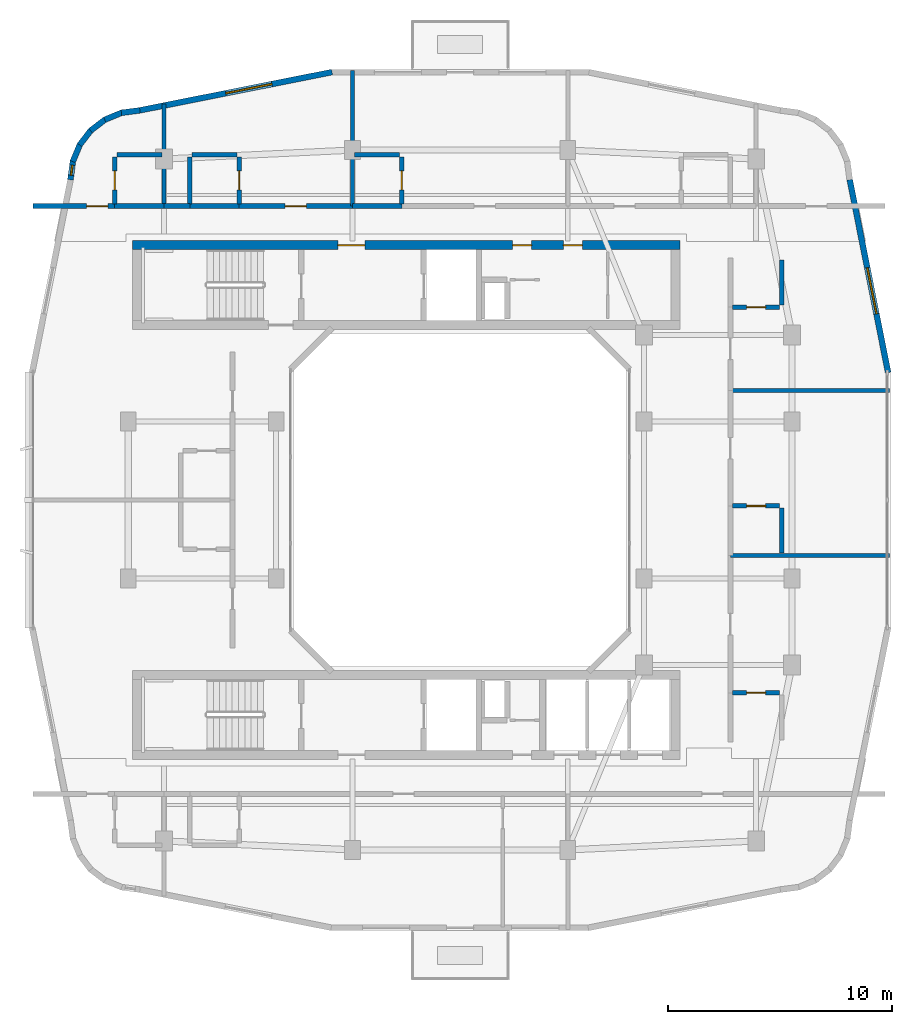
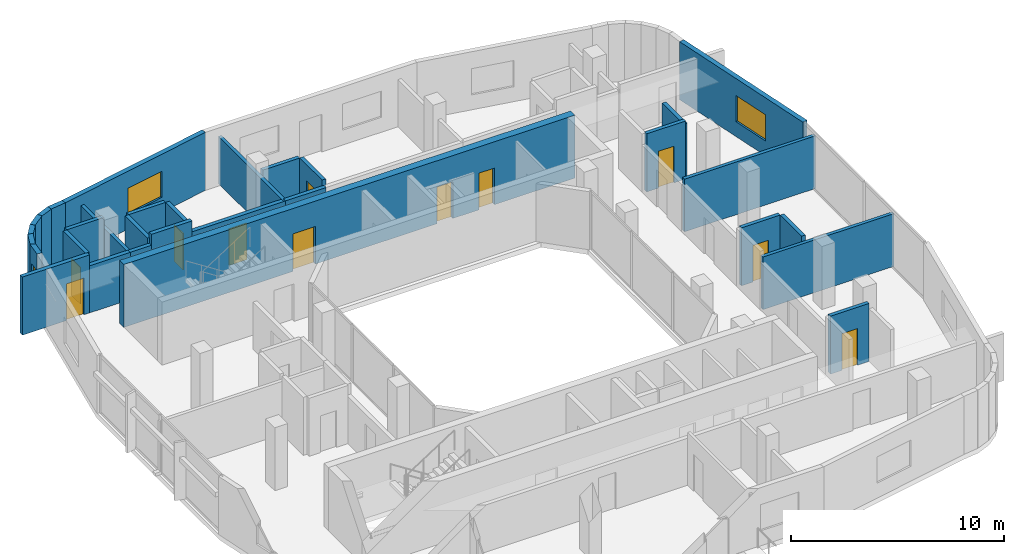
# One storey, part 8 of 13: 31 walls, 11 doors, 3 windows, 14 openings.
"""IFC4 building model written with IfcOpenShell, lengths in metres."""

import ifcopenshell
import ifcopenshell.guid

model = None  # the IFC model being written
_history = None  # IfcOwnerHistory: only IFC2X3 demands one
_inside = {}  # id of a spatial element -> (the spatial element, [elements in it])
_under = {}  # id of a project, library or spatial element -> (it, [spatial elements below it])
_declared = {}  # id of a project -> (the project, [libraries it declares])
_typed = {}  # id of a type object -> (the type object, [elements of that type])
_made_of = {}  # id of a material, layer set ... -> (it, [elements and type objects made of it])


def new_model(schema):
    """Start an empty IFC model of exactly this schema.

    Asked for "IFC4X3", IfcOpenShell would pick the latest addendum, in which some entities
    have other attributes; the version numbers below select the first issue.
    IFC2X3 requires an IfcOwnerHistory on every rooted entity: one is made here for all.
    """
    global model, _history
    if schema == "IFC4X3":
        model = ifcopenshell.file(schema_version=(4, 3, 0, 0))
    else:
        model = ifcopenshell.file(schema=schema)
    _inside.clear()
    _under.clear()
    _declared.clear()
    _typed.clear()
    _made_of.clear()
    _history = None
    if model.schema == "IFC2X3":
        org = make("IfcOrganization", Name="unknown")
        user = make(
            "IfcPersonAndOrganization",
            ThePerson=make("IfcPerson", FamilyName="unknown"),
            TheOrganization=org,
        )
        app = make(
            "IfcApplication",
            ApplicationDeveloper=org,
            Version="unknown",
            ApplicationFullName="unknown",
            ApplicationIdentifier="unknown",
        )
        _history = make(
            "IfcOwnerHistory",
            OwningUser=user,
            OwningApplication=app,
            ChangeAction="ADDED",
            CreationDate=0,
        )
    return model


def make(cls, **values):
    """One entity of the class cls with the attributes given. An attribute that is None is left unset."""
    return model.create_entity(
        cls, **{name: value for name, value in values.items() if value is not None}
    )


def rooted(cls, **values):
    """An entity with a GlobalId (a new one), such as an element, a storey or a relation."""
    return make(cls, GlobalId=ifcopenshell.guid.new(), OwnerHistory=_history, **values)


def si_unit(unit_type, name, prefix=None):
    """IfcSIUnit, for example si_unit("LENGTHUNIT", "METRE", prefix="MILLI")."""
    return make("IfcSIUnit", UnitType=unit_type, Prefix=prefix, Name=name)


def derived_unit(unit_type, elements):
    """IfcDerivedUnit: a product of units, each with its exponent."""
    return make(
        "IfcDerivedUnit",
        Elements=[
            make("IfcDerivedUnitElement", Unit=unit, Exponent=power)
            for unit, power in elements
        ],
        UnitType=unit_type,
    )


def assignment(units):
    """IfcUnitAssignment: the units of a project."""
    return None if units is None else make("IfcUnitAssignment", Units=units)


def point(xyz):
    """IfcCartesianPoint."""
    return None if xyz is None else make("IfcCartesianPoint", Coordinates=xyz)


def direction(xyz):
    """IfcDirection."""
    return None if xyz is None else make("IfcDirection", DirectionRatios=xyz)


def frame(location, z_axis=None, x_axis=None):
    """IfcAxis2Placement3D, a coordinate frame: its origin and axes. An axis left out is left unset."""
    return make(
        "IfcAxis2Placement3D",
        Location=point(location),
        Axis=direction(z_axis),
        RefDirection=direction(x_axis),
    )


def frame_2d(location, x_axis=None):
    """IfcAxis2Placement2D, a coordinate frame in the plane: its origin and x axis."""
    return make(
        "IfcAxis2Placement2D", Location=point(location), RefDirection=direction(x_axis)
    )


def origin():
    """The frame at (0, 0, 0) with its axes left unset."""
    return frame((0.0, 0.0, 0.0))


def place(relative_to, where):
    """IfcLocalPlacement: puts the frame where relative to a parent placement (None: the world)."""
    return make(
        "IfcLocalPlacement", PlacementRelTo=relative_to, RelativePlacement=where
    )


def context(
    kind, dimensions, precision=None, world=None, true_north=None, identifier=None
):
    """IfcGeometricRepresentationContext, for example the 3D "Model" context."""
    return make(
        "IfcGeometricRepresentationContext",
        ContextIdentifier=identifier,
        ContextType=kind,
        CoordinateSpaceDimension=dimensions,
        Precision=precision,
        WorldCoordinateSystem=world,
        TrueNorth=true_north,
    )


def subcontext(parent, identifier, kind, view, scale=None):
    """IfcGeometricRepresentationSubContext, for example "Body" below "Model"."""
    return make(
        "IfcGeometricRepresentationSubContext",
        ContextIdentifier=identifier,
        ContextType=kind,
        ParentContext=parent,
        TargetScale=scale,
        TargetView=view,
    )


def project(units=None, contexts=None):
    """IfcProject with its units and contexts."""
    return rooted(
        "IfcProject",
        Name="project",
        RepresentationContexts=contexts,
        UnitsInContext=assignment(units),
    )


def spatial(cls, under=None, at=None, **own):
    """A site, building, storey or space (cls), placed at a placement, below another one or the project."""
    s = rooted(cls, ObjectPlacement=at, **own)
    if under is not None:
        _under.setdefault(under.id(), (under, []))[1].append(s)
    return s


def profile(cls, at=None, kind="AREA", **sizes):
    """A parametric profile (cls). Its sizes go by their IFC names, for example OverallWidth=200.0."""
    return make(cls, ProfileType=kind, Position=at, **sizes)


def rectangle(**sizes):
    """IfcRectangleProfileDef."""
    return profile("IfcRectangleProfileDef", **sizes)


def extrude(swept, where, along, depth):
    """IfcExtrudedAreaSolid: the profile swept, set in the frame where, extruded along a direction by depth."""
    return make(
        "IfcExtrudedAreaSolid",
        SweptArea=swept,
        Position=where,
        ExtrudedDirection=direction(along),
        Depth=depth,
    )


def shape(context_of_items, identifier, shape_type, items):
    """IfcShapeRepresentation: the items that make up one representation, for example the "Body"."""
    return make(
        "IfcShapeRepresentation",
        ContextOfItems=context_of_items,
        RepresentationIdentifier=identifier,
        RepresentationType=shape_type,
        Items=items,
    )


def material(Name=None, Category=None):
    """IfcMaterial."""
    return make("IfcMaterial", Name=Name, Category=Category)


def layer(
    of_material, thickness, ventilated=None, Name=None, Category=None, Priority=None
):
    """IfcMaterialLayer: one layer of a wall or slab, of a material (None: an air gap)."""
    return make(
        "IfcMaterialLayer",
        Material=of_material,
        LayerThickness=thickness,
        IsVentilated=ventilated,
        Name=Name,
        Category=Category,
        Priority=Priority,
    )


def layer_set(layers, Name=None):
    """IfcMaterialLayerSet."""
    return make("IfcMaterialLayerSet", MaterialLayers=layers, LayerSetName=Name)


def made_of(thing, what):
    """Note that an element or type object is made of a material, layer set ...; save() writes the relation."""
    if what is not None:
        _made_of.setdefault(what.id(), (what, []))[1].append(thing)
    return thing


def type_object(cls, material=None, **own):
    """A type object (cls), such as IfcWallType, which elements share."""
    return made_of(rooted(cls, **own), material)


def element(
    cls,
    number,
    at=None,
    inside=None,
    cuts=None,
    type_object=None,
    material=None,
    context=None,
    identifier="Body",
    shape_type=None,
    held_by="IfcProductDefinitionShape",
    body=None,
    shapes=None,
    **own,
):
    """One element of the class cls, such as IfcWall. Its Tag is "e" and its number.

    at: its placement. inside: the storey or other place that contains it. cuts: it is an
    opening in that element (IfcRelVoidsElement). A single representation is given by context,
    identifier, shape_type and body (its items); several are given by shapes. held_by: the class
    of the entity that holds the representations. save() writes the other relations.
    """
    e = rooted(cls, Tag="e%d" % number, ObjectPlacement=at, **own)
    if body is not None:
        shapes = [shape(context, identifier, shape_type, body)]
    if shapes is not None:
        e.Representation = make(held_by, Representations=shapes)
    if inside is not None:
        _inside.setdefault(inside.id(), (inside, []))[1].append(e)
    if cuts is not None:
        rooted(
            "IfcRelVoidsElement", RelatingBuildingElement=cuts, RelatedOpeningElement=e
        )
    if type_object is not None:
        _typed.setdefault(type_object.id(), (type_object, []))[1].append(e)
    return made_of(e, material)


def fill(opening, filler):
    """IfcRelFillsElement: the door or window that sits in an opening."""
    return rooted(
        "IfcRelFillsElement",
        RelatingOpeningElement=opening,
        RelatedBuildingElement=filler,
    )


def aggregate(whole, parts):
    """IfcRelAggregates: a whole, such as a stair, and the parts it consists of."""
    return rooted("IfcRelAggregates", RelatingObject=whole, RelatedObjects=parts)


def save(model, path):
    """Write the relations noted so far, then the file.

    IfcRelAggregates (storeys below a building ...), IfcRelContainedInSpatialStructure (elements
    in a storey), IfcRelDefinesByType, IfcRelAssociatesMaterial and IfcRelDeclares: one each for
    every whole, place, type object, material and project.
    """
    for whole, parts in _under.values():
        aggregate(whole, parts)
    for where, things in _inside.values():
        rooted(
            "IfcRelContainedInSpatialStructure",
            RelatedElements=things,
            RelatingStructure=where,
        )
    for kind, things in _typed.values():
        rooted("IfcRelDefinesByType", RelatedObjects=things, RelatingType=kind)
    for what, things in _made_of.values():
        rooted("IfcRelAssociatesMaterial", RelatedObjects=things, RelatingMaterial=what)
    for by, libraries in _declared.values():
        rooted("IfcRelDeclares", RelatingContext=by, RelatedDefinitions=libraries)
    model.write(path)


model = new_model("IFC4")

# Units and contexts
model_context = context("Model", 3, precision=1e-05, world=origin(), true_north=direction((0.0, 1.0)))
body_context = subcontext(model_context, "Body", "Model", "MODEL_VIEW")
ifc_project = project(units=[si_unit("LENGTHUNIT", "METRE"), si_unit("AREAUNIT", "SQUARE_METRE"), si_unit("VOLUMEUNIT", "CUBIC_METRE"), si_unit("PLANEANGLEUNIT", "RADIAN"), si_unit("MASSUNIT", "GRAM", prefix="KILO"), derived_unit("THERMALTRANSMITTANCEUNIT", [(si_unit("POWERUNIT", "WATT"), 1), (si_unit("LENGTHUNIT", "METRE"), -2), (si_unit("THERMODYNAMICTEMPERATUREUNIT", "KELVIN"), -1)])], contexts=[model_context])

# Site, building, storey
site_placement = place(None, origin())
site = spatial("IfcSite", under=ifc_project, at=site_placement, CompositionType="ELEMENT")
building_placement = place(site_placement, origin())
building = spatial("IfcBuilding", under=site, at=building_placement, Name="Kivonza Crest Hotel", CompositionType="ELEMENT")
storey_placement = place(building_placement, frame((0.0, 0.0, 220.699951171875)))
storey = spatial("IfcBuildingStorey", under=building, at=storey_placement, Name="L60", CompositionType="ELEMENT", Elevation=220.699951171875)

# Walls
ifc_material_1 = material(Name="High-density acoustic masonry inter-tenancy wall", Category="masonry")
ifc_layer_1 = layer(ifc_material_1, 0.179931640625)
ifc_layer_set_1 = layer_set([ifc_layer_1], Name="High-density acoustic masonry inter-tenancy wall")
wall_type_1 = type_object("IfcWallType", Name="WL-ACOU-180", PredefinedType="SOLIDWALL", material=ifc_layer_set_1)
wall_1_placement = place(storey_placement, frame((7.800048828125, 38.10009765625, 0.0), z_axis=(0.0, 0.0, 1.0), x_axis=(0.0, 1.0, 0.0)))
element("IfcWall", 1, at=wall_1_placement, inside=storey, type_object=wall_type_1, Name="L60 interior partition WA-L60-T1N-DIV1", PredefinedType="SOLIDWALL", context=body_context, shape_type="SweptSolid", body=[
    extrude(rectangle(XDim=4.557861328125, YDim=0.179931640625, at=frame_2d((2.27880859375, 0.0))), origin(), (0.0, 0.0, 1.0), 2.695068359375),
])
wall_2_placement = place(storey_placement, frame((16.199951171875, 38.10009765625, 0.0), z_axis=(0.0, 0.0, 1.0), x_axis=(0.0, 1.0, 0.0)))
element("IfcWall", 2, at=wall_2_placement, inside=storey, type_object=wall_type_1, Name="L60 interior partition WA-L60-T1N-DIV2", PredefinedType="SOLIDWALL", context=body_context, shape_type="SweptSolid", body=[
    extrude(rectangle(XDim=6.039794921875, YDim=0.179931640625, at=frame_2d((3.02001953125, 0.0))), origin(), (0.0, 0.0, 1.0), 2.695068359375),
])
for number, where, z_axis, x_axis, name in (
    (3, (33.050048828125, 22.533935546875, 0.0), (0.0, 0.0, 1.0), (1.0, 0.0, 0.0), "L60 interior partition WA-L60-T1E-DIV1"),
    (4, (33.050048828125, 29.8779296875, 0.0), (0.0, 0.0, 1.0), (1.0, 0.0, 0.0), "L60 interior partition WA-L60-T1E-DIV2"),
):
    element("IfcWall", number, at=place(storey_placement, frame(where, z_axis=z_axis, x_axis=x_axis)), inside=storey, type_object=wall_type_1, Name=name, PredefinedType="SOLIDWALL", context=body_context, shape_type="SweptSolid", body=[
        extrude(rectangle(XDim=7.08984375, YDim=0.179931640625, at=frame_2d((3.544921875, 0.0))), origin(), (0.0, 0.0, 1.0), 3.01513671875),
    ])
ifc_material_2 = material(Name="Autoclaved aerated concrete blockwork", Category="masonry")
ifc_layer_2 = layer(ifc_material_2, 0.219970703125)
ifc_layer_set_2 = layer_set([ifc_layer_2], Name="Autoclaved aerated concrete blockwork")
wall_type_2 = type_object("IfcWallType", Name="WL-ACOU-220", PredefinedType="SOLIDWALL", material=ifc_layer_set_2)
wall_3_placement = place(storey_placement, frame((5.60009765625, 38.10009765625, 0.0), z_axis=(0.0, 0.0, 1.0), x_axis=(1.0, 0.0, 0.0)))
element("IfcWall", 5, at=wall_3_placement, inside=storey, type_object=wall_type_2, Name="L60 interior partition WA-L60-N01-BCORR", PredefinedType="SOLIDWALL", context=body_context, shape_type="SweptSolid", body=[
    extrude(rectangle(XDim=2.199951171875, YDim=0.219970703125, at=frame_2d((1.10009765625, 0.0))), origin(), (0.0, 0.0, 1.0), 2.695068359375),
])

# Wall, opening, door
wall_4_placement = place(storey_placement, frame((1.9599609375, 38.10009765625, 0.0), z_axis=(0.0, 0.0, 1.0), x_axis=(1.0, 0.0, 0.0)))
wall_4 = element("IfcWall", 6, at=wall_4_placement, inside=storey, type_object=wall_type_2, Name="L60 interior partition WA-L60-N01-MCORR", PredefinedType="SOLIDWALL", context=body_context, shape_type="SweptSolid", body=[
    extrude(rectangle(XDim=3.64013671875, YDim=0.219970703125, at=frame_2d((1.820068359375, 0.0))), origin(), (0.0, 0.0, 1.0), 3.320068359375),
])
opening_1_placement = place(wall_4_placement, frame((2.389892578125, 0.0, 0.0)))
opening_1 = element("IfcOpeningElement", 7, at=opening_1_placement, cuts=wall_4, Name="Opening DU-60", PredefinedType="OPENING", context=body_context, shape_type="SweptSolid", body=[
    extrude(rectangle(XDim=0.949951171875, YDim=2.10009765625, at=frame_2d((0.47509765625, 1.050048828125))), frame((0.0, 0.1201171875, 0.0), z_axis=(0.0, -1.0, 0.0), x_axis=(1.0, 0.0, 0.0)), (0.0, 0.0, 1.0), 0.239990234375),
])
ifc_material_3 = material(Name="Hardwood timber oak", Category="wood")
door_type_1 = type_object("IfcDoorType", Name="DR-UNIT-950", OperationType="NOTDEFINED", PredefinedType="DOOR", material=ifc_material_3)
door_1_placement = place(opening_1_placement, origin())
door_1 = element("IfcDoor", 8, at=door_1_placement, inside=storey, type_object=door_type_1, Name="L60 N01 guest unit entrance fire door", OperationType="SINGLE_SWING_LEFT", OverallHeight=2.10009765625, OverallWidth=0.949951171875, PredefinedType="DOOR", context=body_context, shape_type="SweptSolid", body=[
    extrude(rectangle(XDim=0.949951171875, YDim=2.10009765625, at=frame_2d((0.47509765625, 1.050048828125))), frame((0.0, 0.02490234375, 0.0), z_axis=(0.0, -1.0, 0.0), x_axis=(1.0, 0.0, 0.0)), (0.0, 0.0, 1.0), 0.050048828125),
])
fill(opening_1, door_1)

# Walls
wall_5_placement = place(storey_placement, frame((7.800048828125, 38.10009765625, 0.0), z_axis=(0.0, 0.0, 1.0), x_axis=(1.0, 0.0, 0.0)))
element("IfcWall", 9, at=wall_5_placement, inside=storey, type_object=wall_type_2, Name="L60 interior partition WA-L60-N02-XCORR", PredefinedType="SOLIDWALL", context=body_context, shape_type="SweptSolid", body=[
    extrude(rectangle(XDim=1.14990234375, YDim=0.219970703125, at=frame_2d((0.574951171875, 0.0))), origin(), (0.0, 0.0, 1.0), 2.695068359375),
])
wall_6_placement = place(storey_placement, frame((8.949951171875, 38.10009765625, 0.0), z_axis=(0.0, 0.0, 1.0), x_axis=(1.0, 0.0, 0.0)))
element("IfcWall", 10, at=wall_6_placement, inside=storey, type_object=wall_type_2, Name="L60 interior partition WA-L60-N02-BCORR", PredefinedType="SOLIDWALL", context=body_context, shape_type="SweptSolid", body=[
    extrude(rectangle(XDim=2.199951171875, YDim=0.219970703125, at=frame_2d((1.10009765625, 0.0))), origin(), (0.0, 0.0, 1.0), 3.320068359375),
])

# Wall, opening, door
wall_7_placement = place(storey_placement, frame((11.14990234375, 38.10009765625, 0.0), z_axis=(0.0, 0.0, 1.0), x_axis=(1.0, 0.0, 0.0)))
wall_7 = element("IfcWall", 11, at=wall_7_placement, inside=storey, type_object=wall_type_2, Name="L60 interior partition WA-L60-N02-MCORR", PredefinedType="SOLIDWALL", context=body_context, shape_type="SweptSolid", body=[
    extrude(rectangle(XDim=5.050048828125, YDim=0.219970703125, at=frame_2d((2.52490234375, 0.0))), origin(), (0.0, 0.0, 1.0), 2.695068359375),
])
opening_2_placement = place(wall_7_placement, frame((2.050048828125, 0.0, 0.0)))
opening_2 = element("IfcOpeningElement", 12, at=opening_2_placement, cuts=wall_7, Name="Opening DU-60", PredefinedType="OPENING", context=body_context, shape_type="SweptSolid", body=[
    extrude(rectangle(XDim=0.949951171875, YDim=2.10009765625, at=frame_2d((0.47509765625, 1.050048828125))), frame((0.0, 0.1201171875, 0.0), z_axis=(0.0, -1.0, 0.0), x_axis=(1.0, 0.0, 0.0)), (0.0, 0.0, 1.0), 0.239990234375),
])
door_2_placement = place(opening_2_placement, origin())
door_2 = element("IfcDoor", 13, at=door_2_placement, inside=storey, type_object=door_type_1, Name="L60 N02 guest unit entrance fire door", OperationType="SINGLE_SWING_RIGHT", OverallHeight=2.10009765625, OverallWidth=0.949951171875, PredefinedType="DOOR", context=body_context, shape_type="SweptSolid", body=[
    extrude(rectangle(XDim=0.949951171875, YDim=2.10009765625, at=frame_2d((0.47509765625, 1.050048828125))), frame((0.0, 0.02490234375, 0.0), z_axis=(0.0, -1.0, 0.0), x_axis=(1.0, 0.0, 0.0)), (0.0, 0.0, 1.0), 0.050048828125),
])
fill(opening_2, door_2)

# Wall
wall_8_placement = place(storey_placement, frame((16.199951171875, 38.10009765625, 0.0), z_axis=(0.0, 0.0, 1.0), x_axis=(1.0, 0.0, 0.0)))
element("IfcWall", 14, at=wall_8_placement, inside=storey, type_object=wall_type_2, Name="L60 interior partition WA-L60-N03-BCORR", PredefinedType="SOLIDWALL", context=body_context, shape_type="SweptSolid", body=[
    extrude(rectangle(XDim=2.199951171875, YDim=0.219970703125, at=frame_2d((1.10009765625, 0.0))), origin(), (0.0, 0.0, 1.0), 2.695068359375),
])

# Wall, openings, doors
ifc_material_4 = material(Name="Concrete C50/60", Category="concrete")
ifc_layer_3 = layer(ifc_material_4, 0.39990234375)
ifc_layer_set_3 = layer_set([ifc_layer_3], Name="Concrete C50/60")
wall_type_3 = type_object("IfcWallType", Name="WL-CORE-400", PredefinedType="SHEAR", material=ifc_layer_set_3)
wall_9_placement = place(storey_placement, frame((6.39990234375, 36.360107421875, 0.0), z_axis=(0.0, 0.0, 1.0), x_axis=(1.0, 0.0, 0.0)))
wall_9 = element("IfcWall", 15, at=wall_9_placement, inside=storey, type_object=wall_type_3, Name="Core wall T1-N North L60", PredefinedType="SHEAR", context=body_context, shape_type="SweptSolid", body=[
    extrude(rectangle(XDim=24.400146484375, YDim=0.39990234375, at=frame_2d((12.2001953125, 0.0))), origin(), (0.0, 0.0, 1.0), 3.60009765625),
])
opening_3_placement = place(wall_9_placement, frame((9.14990234375, 0.0, 0.0)))
opening_3 = element("IfcOpeningElement", 16, at=opening_3_placement, cuts=wall_9, Name="Opening DF-60", PredefinedType="OPENING", context=body_context, shape_type="SweptSolid", body=[
    extrude(rectangle(XDim=1.199951171875, YDim=2.14990234375, at=frame_2d((0.60009765625, 1.074951171875))), frame((0.0, 0.2099609375, 0.0), z_axis=(0.0, -1.0, 0.0), x_axis=(1.0, 0.0, 0.0)), (0.0, 0.0, 1.0), 0.419921875),
])
opening_4_placement = place(wall_9_placement, frame((19.199951171875, 0.0, 0.0)))
opening_4 = element("IfcOpeningElement", 17, at=opening_4_placement, cuts=wall_9, Name="Opening DF-60R", PredefinedType="OPENING", context=body_context, shape_type="SweptSolid", body=[
    extrude(rectangle(XDim=0.85009765625, YDim=2.10009765625, at=frame_2d((0.425048828125, 1.050048828125))), frame((0.0, 0.2099609375, 0.0), z_axis=(0.0, -1.0, 0.0), x_axis=(1.0, 0.0, 0.0)), (0.0, 0.0, 1.0), 0.419921875),
])
opening_5_placement = place(wall_9_placement, frame((16.93994140625, 0.0, 0.0)))
opening_5 = element("IfcOpeningElement", 18, at=opening_5_placement, cuts=wall_9, Name="Opening DF-60R", PredefinedType="OPENING", context=body_context, shape_type="SweptSolid", body=[
    extrude(rectangle(XDim=0.85009765625, YDim=2.10009765625, at=frame_2d((0.425048828125, 1.050048828125))), frame((0.0, 0.2099609375, 0.0), z_axis=(0.0, -1.0, 0.0), x_axis=(1.0, 0.0, 0.0)), (0.0, 0.0, 1.0), 0.419921875),
])
door_type_2 = type_object("IfcDoorType", Name="DR-FD60-1200", OperationType="NOTDEFINED", PredefinedType="DOOR", material=ifc_material_3)
door_3_placement = place(opening_3_placement, origin())
door_3 = element("IfcDoor", 19, at=door_3_placement, inside=storey, type_object=door_type_2, Name="L60 T1-N firefighting lobby fire door", OperationType="SINGLE_SWING_RIGHT", OverallHeight=2.14990234375, OverallWidth=1.199951171875, PredefinedType="DOOR", context=body_context, shape_type="SweptSolid", body=[
    extrude(rectangle(XDim=1.199951171875, YDim=2.14990234375, at=frame_2d((0.60009765625, 1.074951171875))), frame((0.0, 0.02490234375, 0.0), z_axis=(0.0, -1.0, 0.0), x_axis=(1.0, 0.0, 0.0)), (0.0, 0.0, 1.0), 0.050048828125),
])
fill(opening_3, door_3)
door_type_3 = type_object("IfcDoorType", Name="DR-FD60-850", OperationType="NOTDEFINED", PredefinedType="DOOR", material=ifc_material_3)
door_4_placement = place(opening_4_placement, origin())
door_4 = element("IfcDoor", 20, at=door_4_placement, inside=storey, type_object=door_type_3, Name="L60 T1-N reclaimed core service door", OperationType="SINGLE_SWING_LEFT", OverallHeight=2.10009765625, OverallWidth=0.85009765625, PredefinedType="DOOR", context=body_context, shape_type="SweptSolid", body=[
    extrude(rectangle(XDim=0.85009765625, YDim=2.10009765625, at=frame_2d((0.425048828125, 1.050048828125))), frame((0.0, 0.02490234375, 0.0), z_axis=(0.0, -1.0, 0.0), x_axis=(1.0, 0.0, 0.0)), (0.0, 0.0, 1.0), 0.050048828125),
])
fill(opening_4, door_4)
door_5_placement = place(opening_5_placement, origin())
door_5 = element("IfcDoor", 21, at=door_5_placement, inside=storey, type_object=door_type_3, Name="L60 T1-N core room door", OperationType="SINGLE_SWING_RIGHT", OverallHeight=2.10009765625, OverallWidth=0.85009765625, PredefinedType="DOOR", context=body_context, shape_type="SweptSolid", body=[
    extrude(rectangle(XDim=0.85009765625, YDim=2.10009765625, at=frame_2d((0.425048828125, 1.050048828125))), frame((0.0, 0.02490234375, 0.0), z_axis=(0.0, -1.0, 0.0), x_axis=(1.0, 0.0, 0.0)), (0.0, 0.0, 1.0), 0.050048828125),
])
fill(opening_5, door_5)

# Wall, opening, window
ifc_material_5 = material(Name="Precast concrete C40/50", Category="concrete")
ifc_layer_4 = layer(ifc_material_5, 0.260009765625)
ifc_layer_set_4 = layer_set([ifc_layer_4], Name="Precast concrete C40/50")
wall_type_4 = type_object("IfcWallType", Name="WL-EXT-260", PredefinedType="STANDARD", material=ifc_layer_set_4)
wall_10_placement = place(storey_placement, frame((40.083984375, 30.680908203125, 0.0), z_axis=(0.0, 0.0, 1.0), x_axis=(-0.195291715883, 0.980745199176, 0.0)))
wall_10 = element("IfcWall", 22, at=wall_10_placement, inside=storey, type_object=wall_type_4, Name="L60 T1 exterior insulated wall 18", PredefinedType="STANDARD", context=body_context, shape_type="SweptSolid", body=[
    extrude(rectangle(XDim=8.77099609375, YDim=0.260009765625, at=frame_2d((4.385498046875, 0.0))), origin(), (0.0, 0.0, 1.0), 3.320068359375),
])
opening_6_placement = place(wall_10_placement, frame((2.669921875, 0.0, 0.85009765625)))
opening_6 = element("IfcOpeningElement", 23, at=opening_6_placement, cuts=wall_10, Name="Opening WN-04", PredefinedType="OPENING", context=body_context, shape_type="SweptSolid", body=[
    extrude(rectangle(XDim=2.10009765625, YDim=1.5, at=frame_2d((1.050048828125, 0.75))), frame((0.0, 0.14013671875, 0.0), z_axis=(0.0, -1.0, 0.0), x_axis=(1.0, 0.0, 0.0)), (0.0, 0.0, 1.0), 0.280029296875),
])
ifc_material_6 = material(Name="Thermally broken bronze aluminium and low-E double glazing", Category="aluminium")
window_type_1 = type_object("IfcWindowType", Name="WN-210x150", PartitioningType="DOUBLE_PANEL_VERTICAL", PredefinedType="WINDOW", material=ifc_material_6)
window_1_placement = place(opening_6_placement, origin())
window_1 = element("IfcWindow", 24, at=window_1_placement, inside=storey, type_object=window_type_1, Name="L60 T1 facade window 18", OverallHeight=1.5, OverallWidth=2.10009765625, PartitioningType="SINGLE_PANEL", PredefinedType="WINDOW", context=body_context, shape_type="SweptSolid", body=[
    extrude(rectangle(XDim=2.10009765625, YDim=1.5, at=frame_2d((1.050048828125, 0.75))), frame((0.0, 0.030029296875, 0.0), z_axis=(0.0, -1.0, 0.0), x_axis=(1.0, 0.0, 0.0)), (0.0, 0.0, 1.0), 0.06005859375),
])
fill(opening_6, window_1)

wall_11_placement = place(storey_placement, frame((15.2900390625, 44.077880859375, 0.0), z_axis=(0.0, 0.0, 1.0), x_axis=(-0.980752174324, -0.195256683773, 0.0)))
wall_11 = element("IfcWall", 25, at=wall_11_placement, inside=storey, type_object=wall_type_4, Name="L60 T1 exterior insulated wall 27", PredefinedType="STANDARD", context=body_context, shape_type="SweptSolid", body=[
    extrude(rectangle(XDim=8.7412109375, YDim=0.260009765625, at=frame_2d((4.37060546875, 0.0))), origin(), (0.0, 0.0, 1.0), 3.320068359375),
])
opening_7_placement = place(wall_11_placement, frame((2.73193359375, 0.0, 0.85009765625)))
opening_7 = element("IfcOpeningElement", 26, at=opening_7_placement, cuts=wall_11, Name="Opening WN-04", PredefinedType="OPENING", context=body_context, shape_type="SweptSolid", body=[
    extrude(rectangle(XDim=2.10009765625, YDim=1.5, at=frame_2d((1.050048828125, 0.75))), frame((0.0, 0.14013671875, 0.0), z_axis=(0.0, -1.0, 0.0), x_axis=(1.0, 0.0, 0.0)), (0.0, 0.0, 1.0), 0.280029296875),
])
window_2_placement = place(opening_7_placement, origin())
window_2 = element("IfcWindow", 27, at=window_2_placement, inside=storey, type_object=window_type_1, Name="L60 T1 facade window 27", OverallHeight=1.5, OverallWidth=2.10009765625, PartitioningType="SINGLE_PANEL", PredefinedType="WINDOW", context=body_context, shape_type="SweptSolid", body=[
    extrude(rectangle(XDim=2.10009765625, YDim=1.5, at=frame_2d((1.050048828125, 0.75))), frame((0.0, 0.030029296875, 0.0), z_axis=(0.0, -1.0, 0.0), x_axis=(1.0, 0.0, 0.0)), (0.0, 0.0, 1.0), 0.06005859375),
])
fill(opening_7, window_2)

# Walls
wall_12_placement = place(storey_placement, frame((6.72509765625, 42.3720703125, 0.0), z_axis=(0.0, 0.0, 1.0), x_axis=(-0.9913883573, -0.130954667764, 0.0)))
element("IfcWall", 28, at=wall_12_placement, inside=storey, type_object=wall_type_4, Name="L60 T1 exterior insulated wall 28", PredefinedType="STANDARD", context=body_context, shape_type="SweptSolid", body=[
    extrude(rectangle(XDim=0.833251953125, YDim=0.260009765625, at=frame_2d((0.41650390625, 0.0))), origin(), (0.0, 0.0, 1.0), 3.320068359375),
])
wall_13_placement = place(storey_placement, frame((5.945068359375, 42.281005859375, 0.0), z_axis=(0.0, 0.0, 1.0), x_axis=(-0.923754491172, -0.382985169477, 0.0)))
element("IfcWall", 29, at=wall_13_placement, inside=storey, type_object=wall_type_4, Name="L60 T1 exterior insulated wall 29", PredefinedType="STANDARD", context=body_context, shape_type="SweptSolid", body=[
    extrude(rectangle(XDim=0.85107421875, YDim=0.260009765625, at=frame_2d((0.425537109375, 0.0))), origin(), (0.0, 0.0, 1.0), 3.320068359375),
])
for number, where, z_axis, x_axis, name in (
    (30, (5.198974609375, 41.98291015625, 0.0), (0.0, 0.0, 1.0), (-0.793999057278, -0.607918988881, 0.0), "L60 T1 exterior insulated wall 30"),
    (31, (4.554931640625, 41.50390625, 0.0), (0.0, 0.0, 1.0), (-0.608057619941, -0.793892896323, 0.0), "L60 T1 exterior insulated wall 31"),
):
    element("IfcWall", number, at=place(storey_placement, frame(where, z_axis=z_axis, x_axis=x_axis)), inside=storey, type_object=wall_type_4, Name=name, PredefinedType="STANDARD", context=body_context, shape_type="SweptSolid", body=[
        extrude(rectangle(XDim=0.85009765625, YDim=0.260009765625, at=frame_2d((0.425048828125, 0.0))), origin(), (0.0, 0.0, 1.0), 3.320068359375),
    ])
wall_14_placement = place(storey_placement, frame((4.05908203125, 40.873046875, 0.0), z_axis=(0.0, 0.0, 1.0), x_axis=(-0.383229930484, -0.923652976167, 0.0)))
element("IfcWall", 32, at=wall_14_placement, inside=storey, type_object=wall_type_4, Name="L60 T1 exterior insulated wall 32", PredefinedType="STANDARD", context=body_context, shape_type="SweptSolid", body=[
    extrude(rectangle(XDim=0.85107421875, YDim=0.260009765625, at=frame_2d((0.425537109375, 0.0))), origin(), (0.0, 0.0, 1.0), 3.320068359375),
])

# Wall, opening, window
wall_15_placement = place(storey_placement, frame((3.740966796875, 40.135986328125, 0.0), z_axis=(0.0, 0.0, 1.0), x_axis=(-0.130156359936, -0.991493480548, 0.0)))
wall_15 = element("IfcWall", 33, at=wall_15_placement, inside=storey, type_object=wall_type_4, Name="L60 T1 exterior insulated wall 33", PredefinedType="STANDARD", context=body_context, shape_type="SweptSolid", body=[
    extrude(rectangle(XDim=0.868408203125, YDim=0.260009765625, at=frame_2d((0.43408203125, 0.0))), origin(), (0.0, 0.0, 1.0), 3.320068359375),
])
opening_8_placement = place(wall_15_placement, frame((0.208984375, 0.0, 0.85009765625)))
opening_8 = element("IfcOpeningElement", 34, at=opening_8_placement, cuts=wall_15, Name="Opening WN-11", PredefinedType="OPENING", context=body_context, shape_type="SweptSolid", body=[
    extrude(rectangle(XDim=0.449951171875, YDim=1.5, at=frame_2d((0.22509765625, 0.75))), frame((0.0, 0.14013671875, 0.0), z_axis=(0.0, -1.0, 0.0), x_axis=(1.0, 0.0, 0.0)), (0.0, 0.0, 1.0), 0.280029296875),
])
window_type_2 = type_object("IfcWindowType", Name="WN-045x150", PartitioningType="SINGLE_PANEL", PredefinedType="WINDOW", material=ifc_material_6)
window_3_placement = place(opening_8_placement, origin())
window_3 = element("IfcWindow", 35, at=window_3_placement, inside=storey, type_object=window_type_2, Name="L60 corner vision window 1", OverallHeight=1.5, OverallWidth=0.449951171875, PartitioningType="SINGLE_PANEL", PredefinedType="WINDOW", context=body_context, shape_type="SweptSolid", body=[
    extrude(rectangle(XDim=0.449951171875, YDim=1.5, at=frame_2d((0.22509765625, 0.75))), frame((0.0, 0.030029296875, 0.0), z_axis=(0.0, -1.0, 0.0), x_axis=(1.0, 0.0, 0.0)), (0.0, 0.0, 1.0), 0.06005859375),
])
fill(opening_8, window_3)

# Wall, opening, door
ifc_material_7 = material(Name="Moisture-resistant plumbing chase partition wall", Category="gypsum")
ifc_layer_5 = layer(ifc_material_7, 0.199951171875)
ifc_layer_set_5 = layer_set([ifc_layer_5], Name="Moisture-resistant plumbing chase partition wall")
wall_type_5 = type_object("IfcWallType", Name="WL-PLUMB-200", PredefinedType="PLUMBINGWALL", material=ifc_layer_set_5)
wall_16_placement = place(storey_placement, frame((5.60009765625, 38.199951171875, 0.0), z_axis=(0.0, 0.0, 1.0), x_axis=(0.0, 1.0, 0.0)))
wall_16 = element("IfcWall", 36, at=wall_16_placement, inside=storey, type_object=wall_type_5, Name="L60 interior partition WW-L60-N01-BV", PredefinedType="PLUMBINGWALL", context=body_context, shape_type="SweptSolid", body=[
    extrude(rectangle(XDim=2.10009765625, YDim=0.199951171875, at=frame_2d((1.050048828125, 0.0))), origin(), (0.0, 0.0, 1.0), 3.320068359375),
])
opening_9_placement = place(wall_16_placement, frame((0.625, 0.0, 0.0)))
opening_9 = element("IfcOpeningElement", 37, at=opening_9_placement, cuts=wall_16, Name="Opening DI-85", PredefinedType="OPENING", context=body_context, shape_type="SweptSolid", body=[
    extrude(rectangle(XDim=0.85009765625, YDim=2.10009765625, at=frame_2d((0.425048828125, 1.050048828125))), frame((0.0, 0.10986328125, 0.0), z_axis=(0.0, -1.0, 0.0), x_axis=(1.0, 0.0, 0.0)), (0.0, 0.0, 1.0), 0.219970703125),
])
door_type_4 = type_object("IfcDoorType", Name="DR-INT-850", OperationType="NOTDEFINED", PredefinedType="DOOR", material=ifc_material_3)
door_6_placement = place(opening_9_placement, origin())
door_6 = element("IfcDoor", 38, at=door_6_placement, inside=storey, type_object=door_type_4, Name="L60 N01 en-suite bathroom door", OperationType="SINGLE_SWING_RIGHT", OverallHeight=2.10009765625, OverallWidth=0.85009765625, PredefinedType="DOOR", context=body_context, shape_type="SweptSolid", body=[
    extrude(rectangle(XDim=0.85009765625, YDim=2.10009765625, at=frame_2d((0.425048828125, 1.050048828125))), frame((0.0, 0.02490234375, 0.0), z_axis=(0.0, -1.0, 0.0), x_axis=(1.0, 0.0, 0.0)), (0.0, 0.0, 1.0), 0.050048828125),
])
fill(opening_9, door_6)

# Wall
wall_17_placement = place(storey_placement, frame((5.699951171875, 40.39990234375, 0.0), z_axis=(0.0, 0.0, 1.0), x_axis=(1.0, 0.0, 0.0)))
element("IfcWall", 39, at=wall_17_placement, inside=storey, type_object=wall_type_5, Name="L60 interior partition WW-L60-N01-BH", PredefinedType="PLUMBINGWALL", context=body_context, shape_type="SweptSolid", body=[
    extrude(rectangle(XDim=2.0, YDim=0.199951171875, at=frame_2d((1.0, 0.0))), origin(), (0.0, 0.0, 1.0), 3.320068359375),
])

# Wall, opening, door
wall_18_placement = place(storey_placement, frame((11.14990234375, 38.199951171875, 0.0), z_axis=(0.0, 0.0, 1.0), x_axis=(0.0, 1.0, 0.0)))
wall_18 = element("IfcWall", 40, at=wall_18_placement, inside=storey, type_object=wall_type_5, Name="L60 interior partition WW-L60-N02-BV", PredefinedType="PLUMBINGWALL", context=body_context, shape_type="SweptSolid", body=[
    extrude(rectangle(XDim=2.10009765625, YDim=0.199951171875, at=frame_2d((1.050048828125, 0.0))), origin(), (0.0, 0.0, 1.0), 3.01513671875),
])
opening_10_placement = place(wall_18_placement, frame((0.625, 0.0, 0.0)))
opening_10 = element("IfcOpeningElement", 41, at=opening_10_placement, cuts=wall_18, Name="Opening DI-85", PredefinedType="OPENING", context=body_context, shape_type="SweptSolid", body=[
    extrude(rectangle(XDim=0.85009765625, YDim=2.10009765625, at=frame_2d((0.425048828125, 1.050048828125))), frame((0.0, 0.10986328125, 0.0), z_axis=(0.0, -1.0, 0.0), x_axis=(1.0, 0.0, 0.0)), (0.0, 0.0, 1.0), 0.219970703125),
])
door_7_placement = place(opening_10_placement, frame((0.85009765625, 0.0, 0.0), z_axis=(0.0, 0.0, 1.0), x_axis=(-1.0, 0.0, 0.0)))
door_7 = element("IfcDoor", 42, at=door_7_placement, inside=storey, type_object=door_type_4, Name="L60 N02 en-suite bathroom door", OperationType="SINGLE_SWING_LEFT", OverallHeight=2.10009765625, OverallWidth=0.85009765625, PredefinedType="DOOR", context=body_context, shape_type="SweptSolid", body=[
    extrude(rectangle(XDim=0.85009765625, YDim=2.10009765625, at=frame_2d((0.425048828125, 1.050048828125))), frame((0.0, 0.02490234375, 0.0), z_axis=(0.0, -1.0, 0.0), x_axis=(1.0, 0.0, 0.0)), (0.0, 0.0, 1.0), 0.050048828125),
])
fill(opening_10, door_7)

# Walls
wall_19_placement = place(storey_placement, frame((9.050048828125, 40.39990234375, 0.0), z_axis=(0.0, 0.0, 1.0), x_axis=(1.0, 0.0, 0.0)))
element("IfcWall", 43, at=wall_19_placement, inside=storey, type_object=wall_type_5, Name="L60 interior partition WW-L60-N02-BH", PredefinedType="PLUMBINGWALL", context=body_context, shape_type="SweptSolid", body=[
    extrude(rectangle(XDim=2.0, YDim=0.199951171875, at=frame_2d((1.0, 0.0))), origin(), (0.0, 0.0, 1.0), 3.01513671875),
])
wall_20_placement = place(storey_placement, frame((8.949951171875, 38.199951171875, 0.0), z_axis=(0.0, 0.0, 1.0), x_axis=(0.0, 1.0, 0.0)))
element("IfcWall", 44, at=wall_20_placement, inside=storey, type_object=wall_type_5, Name="L60 interior partition WW-L60-N02-BVW", PredefinedType="PLUMBINGWALL", context=body_context, shape_type="SweptSolid", body=[
    extrude(rectangle(XDim=2.10009765625, YDim=0.199951171875, at=frame_2d((1.050048828125, 0.0))), origin(), (0.0, 0.0, 1.0), 3.01513671875),
])

# Wall, opening, door
wall_21_placement = place(storey_placement, frame((18.39990234375, 38.199951171875, 0.0), z_axis=(0.0, 0.0, 1.0), x_axis=(0.0, 1.0, 0.0)))
wall_21 = element("IfcWall", 45, at=wall_21_placement, inside=storey, type_object=wall_type_5, Name="L60 interior partition WW-L60-N03-BV", PredefinedType="PLUMBINGWALL", context=body_context, shape_type="SweptSolid", body=[
    extrude(rectangle(XDim=2.10009765625, YDim=0.199951171875, at=frame_2d((1.050048828125, 0.0))), origin(), (0.0, 0.0, 1.0), 3.025146484375),
])
opening_11_placement = place(wall_21_placement, frame((0.625, 0.0, 0.0)))
opening_11 = element("IfcOpeningElement", 46, at=opening_11_placement, cuts=wall_21, Name="Opening DI-85", PredefinedType="OPENING", context=body_context, shape_type="SweptSolid", body=[
    extrude(rectangle(XDim=0.85009765625, YDim=2.10009765625, at=frame_2d((0.425048828125, 1.050048828125))), frame((0.0, 0.10986328125, 0.0), z_axis=(0.0, -1.0, 0.0), x_axis=(1.0, 0.0, 0.0)), (0.0, 0.0, 1.0), 0.219970703125),
])
door_8_placement = place(opening_11_placement, frame((0.85009765625, 0.0, 0.0), z_axis=(0.0, 0.0, 1.0), x_axis=(-1.0, 0.0, 0.0)))
door_8 = element("IfcDoor", 47, at=door_8_placement, inside=storey, type_object=door_type_4, Name="L60 N03 en-suite bathroom door", OperationType="SINGLE_SWING_RIGHT", OverallHeight=2.10009765625, OverallWidth=0.85009765625, PredefinedType="DOOR", context=body_context, shape_type="SweptSolid", body=[
    extrude(rectangle(XDim=0.85009765625, YDim=2.10009765625, at=frame_2d((0.425048828125, 1.050048828125))), frame((0.0, 0.02490234375, 0.0), z_axis=(0.0, -1.0, 0.0), x_axis=(1.0, 0.0, 0.0)), (0.0, 0.0, 1.0), 0.050048828125),
])
fill(opening_11, door_8)

# Wall
wall_22_placement = place(storey_placement, frame((16.300048828125, 40.39990234375, 0.0), z_axis=(0.0, 0.0, 1.0), x_axis=(1.0, 0.0, 0.0)))
element("IfcWall", 48, at=wall_22_placement, inside=storey, type_object=wall_type_5, Name="L60 interior partition WW-L60-N03-BH", PredefinedType="PLUMBINGWALL", context=body_context, shape_type="SweptSolid", body=[
    extrude(rectangle(XDim=2.0, YDim=0.199951171875, at=frame_2d((1.0, 0.0))), origin(), (0.0, 0.0, 1.0), 3.01513671875),
])

# Wall, opening, door
wall_23_placement = place(storey_placement, frame((33.14990234375, 16.39990234375, 0.0), z_axis=(0.0, 0.0, 1.0), x_axis=(1.0, 0.0, 0.0)))
wall_23 = element("IfcWall", 49, at=wall_23_placement, inside=storey, type_object=wall_type_5, Name="L60 interior partition WW-L60-E09-BH", PredefinedType="PLUMBINGWALL", context=body_context, shape_type="SweptSolid", body=[
    extrude(rectangle(XDim=2.10009765625, YDim=0.199951171875, at=frame_2d((1.050048828125, 0.0))), origin(), (0.0, 0.0, 1.0), 3.320068359375),
])
opening_12_placement = place(wall_23_placement, frame((0.625, 0.0, 0.0)))
opening_12 = element("IfcOpeningElement", 50, at=opening_12_placement, cuts=wall_23, Name="Opening DI-85", PredefinedType="OPENING", context=body_context, shape_type="SweptSolid", body=[
    extrude(rectangle(XDim=0.85009765625, YDim=2.10009765625, at=frame_2d((0.425048828125, 1.050048828125))), frame((0.0, 0.10986328125, 0.0), z_axis=(0.0, -1.0, 0.0), x_axis=(1.0, 0.0, 0.0)), (0.0, 0.0, 1.0), 0.219970703125),
])
door_9_placement = place(opening_12_placement, origin())
door_9 = element("IfcDoor", 51, at=door_9_placement, inside=storey, type_object=door_type_4, Name="L60 E09 en-suite bathroom door", OperationType="SINGLE_SWING_RIGHT", OverallHeight=2.10009765625, OverallWidth=0.85009765625, PredefinedType="DOOR", context=body_context, shape_type="SweptSolid", body=[
    extrude(rectangle(XDim=0.85009765625, YDim=2.10009765625, at=frame_2d((0.425048828125, 1.050048828125))), frame((0.0, 0.02490234375, 0.0), z_axis=(0.0, -1.0, 0.0), x_axis=(1.0, 0.0, 0.0)), (0.0, 0.0, 1.0), 0.050048828125),
])
fill(opening_12, door_9)

wall_24_placement = place(storey_placement, frame((33.14990234375, 24.73388671875, 0.0), z_axis=(0.0, 0.0, 1.0), x_axis=(1.0, 0.0, 0.0)))
wall_24 = element("IfcWall", 52, at=wall_24_placement, inside=storey, type_object=wall_type_5, Name="L60 interior partition WW-L60-E10-BH", PredefinedType="PLUMBINGWALL", context=body_context, shape_type="SweptSolid", body=[
    extrude(rectangle(XDim=2.10009765625, YDim=0.199951171875, at=frame_2d((1.050048828125, 0.0))), origin(), (0.0, 0.0, 1.0), 3.320068359375),
])
opening_13_placement = place(wall_24_placement, frame((0.625, 0.0, 0.0)))
opening_13 = element("IfcOpeningElement", 53, at=opening_13_placement, cuts=wall_24, Name="Opening DI-85", PredefinedType="OPENING", context=body_context, shape_type="SweptSolid", body=[
    extrude(rectangle(XDim=0.85009765625, YDim=2.10009765625, at=frame_2d((0.425048828125, 1.050048828125))), frame((0.0, 0.10986328125, 0.0), z_axis=(0.0, -1.0, 0.0), x_axis=(1.0, 0.0, 0.0)), (0.0, 0.0, 1.0), 0.219970703125),
])
door_10_placement = place(opening_13_placement, origin())
door_10 = element("IfcDoor", 54, at=door_10_placement, inside=storey, type_object=door_type_4, Name="L60 E10 en-suite bathroom door", OperationType="SINGLE_SWING_LEFT", OverallHeight=2.10009765625, OverallWidth=0.85009765625, PredefinedType="DOOR", context=body_context, shape_type="SweptSolid", body=[
    extrude(rectangle(XDim=0.85009765625, YDim=2.10009765625, at=frame_2d((0.425048828125, 1.050048828125))), frame((0.0, 0.02490234375, 0.0), z_axis=(0.0, -1.0, 0.0), x_axis=(1.0, 0.0, 0.0)), (0.0, 0.0, 1.0), 0.050048828125),
])
fill(opening_13, door_10)

# Wall
wall_25_placement = place(storey_placement, frame((35.35009765625, 22.634033203125, 0.0), z_axis=(0.0, 0.0, 1.0), x_axis=(0.0, 1.0, 0.0)))
element("IfcWall", 55, at=wall_25_placement, inside=storey, type_object=wall_type_5, Name="L60 interior partition WW-L60-E10-BV", PredefinedType="PLUMBINGWALL", context=body_context, shape_type="SweptSolid", body=[
    extrude(rectangle(XDim=2.0, YDim=0.199951171875, at=frame_2d((1.0, 0.0))), origin(), (0.0, 0.0, 1.0), 3.320068359375),
])

# Wall, opening, door
wall_26_placement = place(storey_placement, frame((33.14990234375, 33.60009765625, 0.0), z_axis=(0.0, 0.0, 1.0), x_axis=(1.0, 0.0, 0.0)))
wall_26 = element("IfcWall", 56, at=wall_26_placement, inside=storey, type_object=wall_type_5, Name="L60 interior partition WW-L60-E11-BH", PredefinedType="PLUMBINGWALL", context=body_context, shape_type="SweptSolid", body=[
    extrude(rectangle(XDim=2.10009765625, YDim=0.199951171875, at=frame_2d((1.050048828125, 0.0))), origin(), (0.0, 0.0, 1.0), 3.320068359375),
])
opening_14_placement = place(wall_26_placement, frame((0.625, 0.0, 0.0)))
opening_14 = element("IfcOpeningElement", 57, at=opening_14_placement, cuts=wall_26, Name="Opening DI-85", PredefinedType="OPENING", context=body_context, shape_type="SweptSolid", body=[
    extrude(rectangle(XDim=0.85009765625, YDim=2.10009765625, at=frame_2d((0.425048828125, 1.050048828125))), frame((0.0, 0.10986328125, 0.0), z_axis=(0.0, -1.0, 0.0), x_axis=(1.0, 0.0, 0.0)), (0.0, 0.0, 1.0), 0.219970703125),
])
door_11_placement = place(opening_14_placement, frame((0.85009765625, 0.0, 0.0), z_axis=(0.0, 0.0, 1.0), x_axis=(-1.0, 0.0, 0.0)))
door_11 = element("IfcDoor", 58, at=door_11_placement, inside=storey, type_object=door_type_4, Name="L60 E11 en-suite bathroom door", OperationType="SINGLE_SWING_RIGHT", OverallHeight=2.10009765625, OverallWidth=0.85009765625, PredefinedType="DOOR", context=body_context, shape_type="SweptSolid", body=[
    extrude(rectangle(XDim=0.85009765625, YDim=2.10009765625, at=frame_2d((0.425048828125, 1.050048828125))), frame((0.0, 0.02490234375, 0.0), z_axis=(0.0, -1.0, 0.0), x_axis=(1.0, 0.0, 0.0)), (0.0, 0.0, 1.0), 0.050048828125),
])
fill(opening_14, door_11)

# Wall
wall_27_placement = place(storey_placement, frame((35.35009765625, 33.699951171875, 0.0), z_axis=(0.0, 0.0, 1.0), x_axis=(0.0, 1.0, 0.0)))
element("IfcWall", 59, at=wall_27_placement, inside=storey, type_object=wall_type_5, Name="L60 interior partition WW-L60-E11-BV", PredefinedType="PLUMBINGWALL", context=body_context, shape_type="SweptSolid", body=[
    extrude(rectangle(XDim=2.0, YDim=0.199951171875, at=frame_2d((1.0, 0.0))), origin(), (0.0, 0.0, 1.0), 3.01513671875),
])

save(model, "model.ifc")
